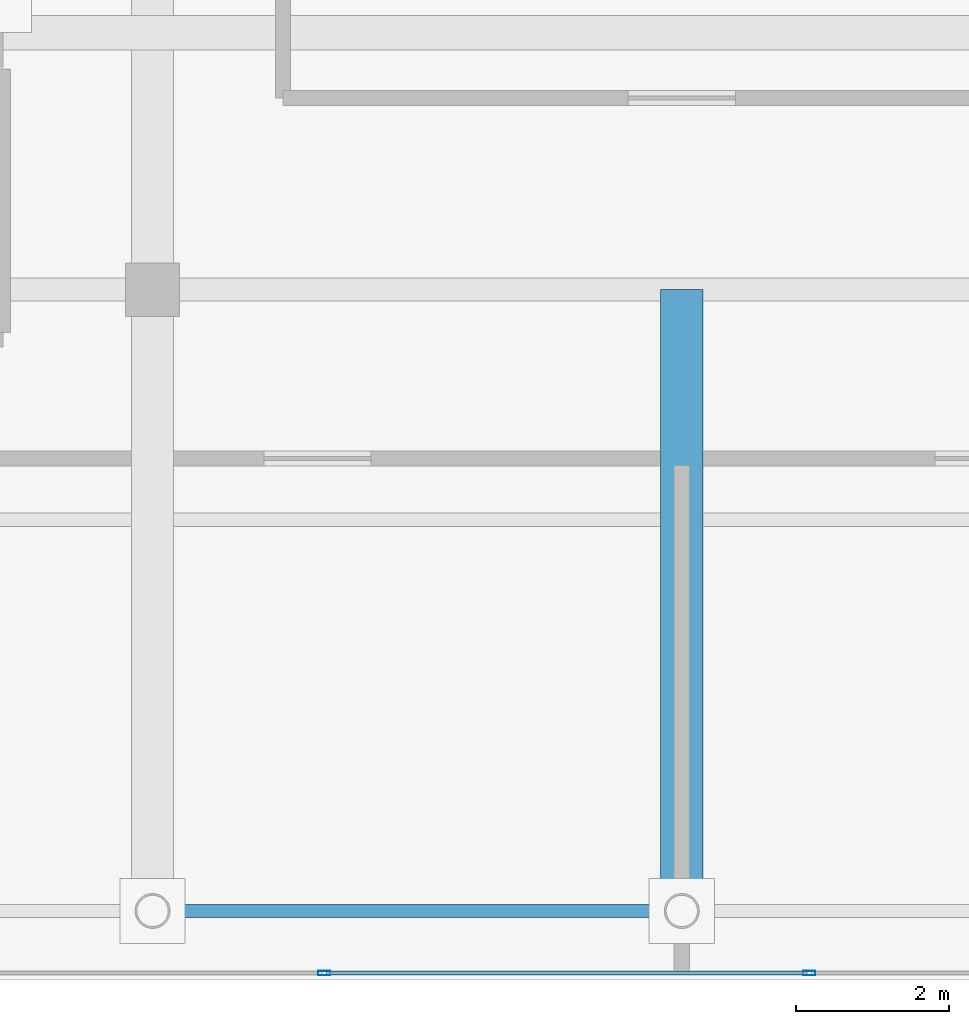
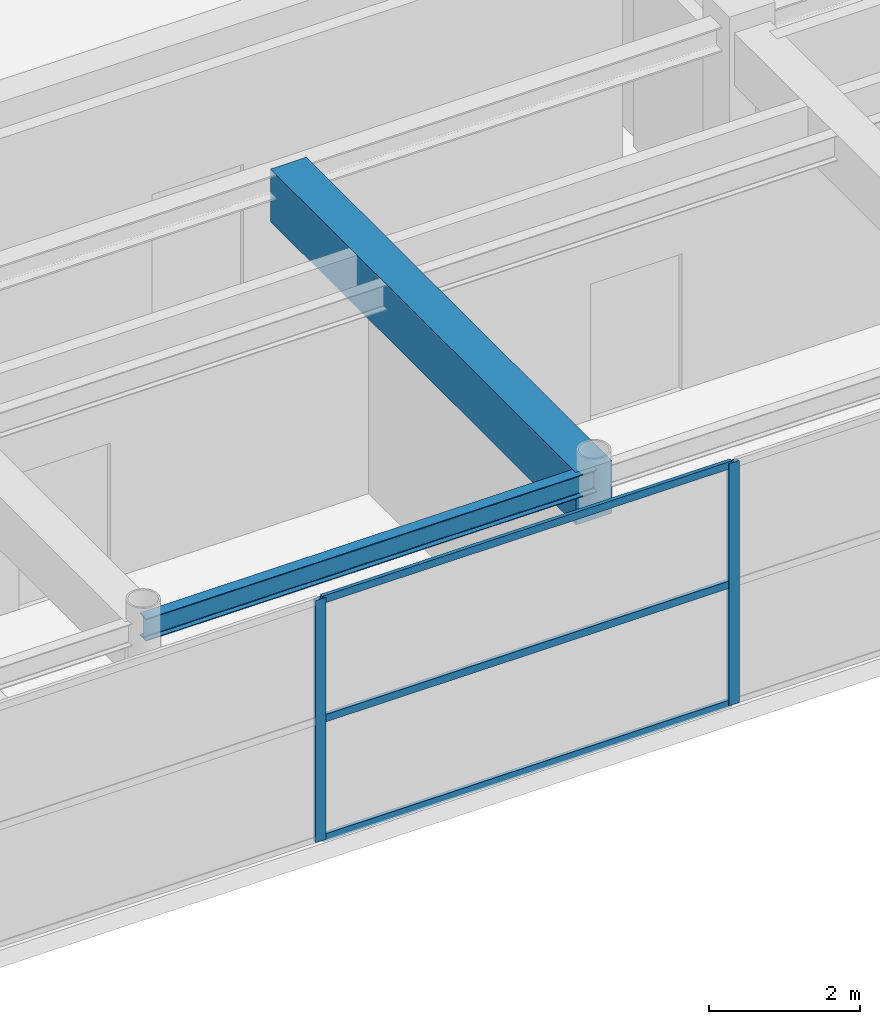
# One storey, part 7 of 32: 5 members, 2 beams, 1 element without a shape of its own.
"""IFC4 building model written with IfcOpenShell, lengths in metres."""

from ifc_helpers import new_model, si_unit, direction, frame, origin, origin_2d, place, context, subcontext, project, spatial, rectangle, hollow_rectangle, i_section, extrude, source, transform, mapped, material, layer, layer_set, material_profile, profile_set, type_object, element, aggregate, save


model = new_model("IFC4")

# Units and contexts
model_context = context("Model", 3, precision=1e-05, world=origin(), true_north=direction((0.0, 1.0)))
body_context = subcontext(model_context, "Body", "Model", "MODEL_VIEW")
ifc_project = project(units=[si_unit("LENGTHUNIT", "METRE"), si_unit("AREAUNIT", "SQUARE_METRE"), si_unit("VOLUMEUNIT", "CUBIC_METRE"), si_unit("PLANEANGLEUNIT", "RADIAN"), si_unit("MASSUNIT", "GRAM", prefix="KILO")], contexts=[model_context])

# Site, building, storey
site_placement = place(None, origin())
site = spatial("IfcSite", under=ifc_project, at=site_placement, CompositionType="ELEMENT")
building_placement = place(site_placement, origin())
building = spatial("IfcBuilding", under=site, at=building_placement, Name="Khoralis Quay Care Tower", CompositionType="ELEMENT")
storey_placement = place(building_placement, frame((0.0, 0.0, 293.699951171875)))
storey = spatial("IfcBuildingStorey", under=building, at=storey_placement, Name="L77", CompositionType="ELEMENT", Elevation=293.699951171875)

# Beams
ifc_material_1 = material(Name="Concrete C50/60", Category="concrete")
ifc_material_profile_1 = material_profile(ifc_material_1, rectangle(XDim=0.550048828125, YDim=0.85009765625, at=origin_2d()), Name="Concrete C50/60")
ifc_profile_set_1 = profile_set([ifc_material_profile_1], Name="Concrete C50/60")
beam_type_1 = type_object("IfcBeamType", Name="BM-RC550X850", PredefinedType="BEAM", material=ifc_profile_set_1)
shared_shape_1 = source(origin(), body_context, "Body", "SweptSolid", [
    extrude(rectangle(XDim=0.550048828125, YDim=0.85009765625, at=origin_2d()), origin(), (0.0, 0.0, 1.0), 8.10009765625),
])
beam_1_placement = place(storey_placement, frame((24.0, 3.89990234375, 3.4951171875), z_axis=(0.0, 1.0, 0.0), x_axis=(-1.0, 0.0, 0.0)))
element("IfcBeam", 1, at=beam_1_placement, inside=storey, type_object=beam_type_1, Name="BM-TGYS-L77-240", PredefinedType="BEAM", context=body_context, shape_type="MappedRepresentation", body=[
    mapped(shared_shape_1, transform((0.0, 0.0, 0.0), scale=1.0)),
])
ifc_material_2 = material(Name="Steel S355", Category="steel")
ifc_material_profile_2 = material_profile(ifc_material_2, i_section(OverallWidth=0.169921875, OverallDepth=0.360107421875, WebThickness=0.008056640625, FlangeThickness=0.0126953125, FilletRadius=0.01806640625, at=origin_2d()), Name="Steel S355")
ifc_profile_set_2 = profile_set([ifc_material_profile_2], Name="Steel S355")
beam_type_2 = type_object("IfcBeamType", Name="BM-IPE360", PredefinedType="SPANDREL", material=ifc_profile_set_2)
shared_shape_2 = source(origin(), body_context, "Body", "SweptSolid", [
    extrude(i_section(OverallWidth=0.169921875, OverallDepth=0.360107421875, WebThickness=0.008056640625, FlangeThickness=0.0126953125, FilletRadius=0.01806640625, at=origin_2d()), origin(), (0.0, 0.0, 1.0), 6.89990234375),
])
beam_2_placement = place(storey_placement, frame((17.10009765625, 3.89990234375, 3.739990234375), z_axis=(1.0, 0.0, 0.0), x_axis=(0.0, 1.0, 0.0)))
element("IfcBeam", 2, at=beam_2_placement, inside=storey, type_object=beam_type_2, Name="BM-TSP-L77-02", PredefinedType="SPANDREL", context=body_context, shape_type="MappedRepresentation", body=[
    mapped(shared_shape_2, transform((0.0, 0.0, 0.0), scale=1.0)),
])

# Curtain wall, members
ifc_material_3 = material(Name="Pale anodised aluminium", Category="aluminium")
ifc_layer = layer(ifc_material_3, 0.199951171875)
ifc_layer_set = layer_set([ifc_layer], Name="Pale anodised aluminium")
curtain_wall_type = type_object("IfcCurtainWallType", Name="CW-SYS-LANTERN", PredefinedType="NOTDEFINED", material=ifc_layer_set)
curtain_wall_placement = place(storey_placement, origin())
curtain_wall = element("IfcCurtainWall", 3, at=curtain_wall_placement, inside=storey, type_object=curtain_wall_type, Name="L77 Unitised Curtain Wall CW-LN-L77-01", PredefinedType="NOTDEFINED")
ifc_material_profile_3 = material_profile(ifc_material_3, hollow_rectangle(XDim=0.06005859375, YDim=0.159912109375, WallThickness=0.00390625, at=origin_2d()), Name="Pale anodised aluminium")
ifc_profile_set_3 = profile_set([ifc_material_profile_3], Name="Pale anodised aluminium")
member_type_1 = type_object("IfcMemberType", Name="CW-MUL-160", PredefinedType="MULLION", material=ifc_profile_set_3)
shared_shape_3 = source(origin(), body_context, "Body", "SweptSolid", [
    extrude(hollow_rectangle(XDim=0.06005859375, YDim=0.159912109375, WallThickness=0.00390625, at=origin_2d()), origin(), (0.0, 0.0, 1.0), 3.920166015625),
])
member_1_placement = place(storey_placement, frame((19.337890625, 3.090087890625, 0.0), z_axis=(0.0, 0.0, 1.0), x_axis=(0.0, 1.0, 0.0)))
member_1 = element("IfcMember", 4, at=member_1_placement, type_object=member_type_1, Name="CW5 mullion 3", PredefinedType="MULLION", context=body_context, shape_type="MappedRepresentation", body=[
    mapped(shared_shape_3, transform((0.0, 0.0, 0.0), scale=1.0)),
])
member_2_placement = place(storey_placement, frame((25.662109375, 3.090087890625, 0.0), z_axis=(0.0, 0.0, 1.0), x_axis=(0.0, 1.0, 0.0)))
member_2 = element("IfcMember", 5, at=member_2_placement, type_object=member_type_1, Name="CW5 mullion 4", PredefinedType="MULLION", context=body_context, shape_type="MappedRepresentation", body=[
    mapped(shared_shape_3, transform((0.0, 0.0, 0.0), scale=1.0)),
])
ifc_material_profile_4 = material_profile(ifc_material_3, hollow_rectangle(XDim=0.054931640625, YDim=0.1201171875, WallThickness=0.00390625, at=origin_2d()), Name="Pale anodised aluminium")
ifc_profile_set_4 = profile_set([ifc_material_profile_4], Name="Pale anodised aluminium")
member_type_2 = type_object("IfcMemberType", Name="CW-TRN-120", PredefinedType="USERDEFINED", material=ifc_profile_set_4)
shared_shape_4 = source(origin(), body_context, "Body", "SweptSolid", [
    extrude(hollow_rectangle(XDim=0.054931640625, YDim=0.1201171875, WallThickness=0.00390625, at=origin_2d()), origin(), (0.0, 0.0, 1.0), 6.26416015625),
])
member_3_placement = place(storey_placement, frame((19.367919921875, 3.090087890625, 0.030029296875), z_axis=(1.0, 0.0, 0.0), x_axis=(0.0, 1.0, 0.0)))
member_3 = element("IfcMember", 6, at=member_3_placement, type_object=member_type_2, Name="CW5 transom 3.1", ObjectType="TRANSOM", PredefinedType="USERDEFINED", context=body_context, shape_type="MappedRepresentation", body=[
    mapped(shared_shape_4, transform((0.0, 0.0, 0.0), scale=1.0)),
])
member_4_placement = place(storey_placement, frame((19.367919921875, 3.090087890625, 1.9599609375), z_axis=(1.0, 0.0, 0.0), x_axis=(0.0, 1.0, 0.0)))
member_4 = element("IfcMember", 7, at=member_4_placement, type_object=member_type_2, Name="CW5 transom 3.2", ObjectType="TRANSOM", PredefinedType="USERDEFINED", context=body_context, shape_type="MappedRepresentation", body=[
    mapped(shared_shape_4, transform((0.0, 0.0, 0.0), scale=1.0)),
])
member_5_placement = place(storey_placement, frame((19.367919921875, 3.090087890625, 3.89013671875), z_axis=(1.0, 0.0, 0.0), x_axis=(0.0, 1.0, 0.0)))
member_5 = element("IfcMember", 8, at=member_5_placement, type_object=member_type_2, Name="CW5 transom 3.3", ObjectType="TRANSOM", PredefinedType="USERDEFINED", context=body_context, shape_type="MappedRepresentation", body=[
    mapped(shared_shape_4, transform((0.0, 0.0, 0.0), scale=1.0)),
])
aggregate(curtain_wall, [member_1, member_2, member_3, member_4, member_5])

save(model, "model.ifc")
